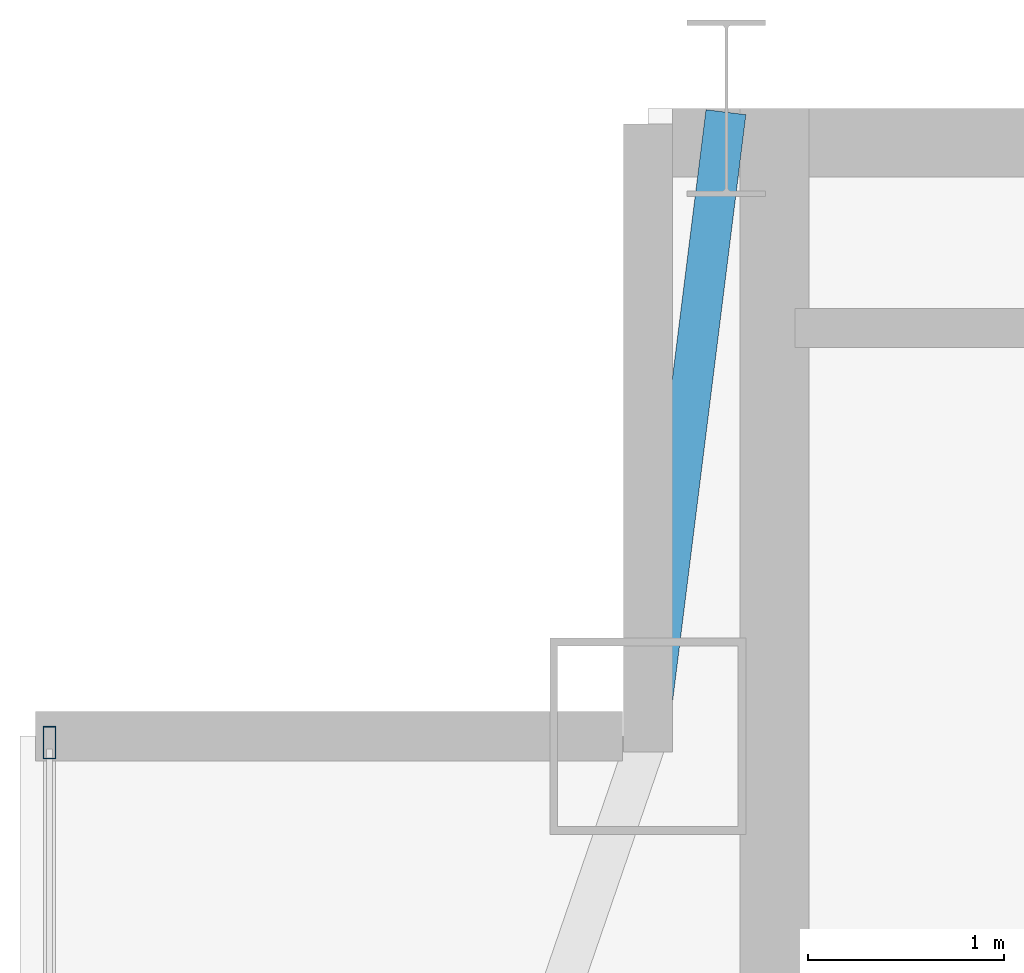
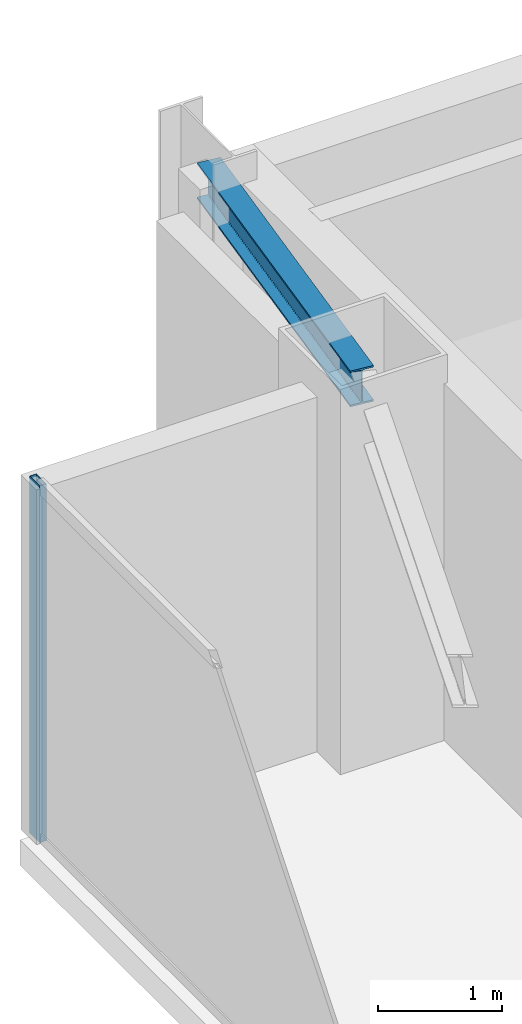
# One storey, part 15 of 21: 1 beam, 1 member, 1 element without a shape of its own.
"""IFC4 building model written with IfcOpenShell, lengths in metres."""

from ifc_helpers import new_model, si_unit, direction, frame, origin, origin_2d, place, context, subcontext, project, spatial, hollow_rectangle, i_section, extrude, source, transform, mapped, material, layer, layer_set, material_profile, profile_set, type_object, type_shapes, element, aggregate, save


model = new_model("IFC4")

# Units and contexts
model_context = context("Model", 3, precision=1e-05, world=origin(), true_north=direction((0.0, 1.0)))
body_context = subcontext(model_context, "Body", "Model", "MODEL_VIEW")
ifc_project = project(units=[si_unit("LENGTHUNIT", "METRE"), si_unit("AREAUNIT", "SQUARE_METRE"), si_unit("VOLUMEUNIT", "CUBIC_METRE"), si_unit("PLANEANGLEUNIT", "RADIAN"), si_unit("MASSUNIT", "GRAM", prefix="KILO")], contexts=[model_context])

# Site, building, storey
site_placement = place(None, origin())
site = spatial("IfcSite", under=ifc_project, at=site_placement, CompositionType="ELEMENT")
building_placement = place(site_placement, origin())
building = spatial("IfcBuilding", under=site, at=building_placement, Name="Varnel Quay Broadcast Tower", CompositionType="ELEMENT")
storey_placement = place(building_placement, frame((0.0, 0.0, 296.39990234375)))
storey = spatial("IfcBuildingStorey", under=building, at=storey_placement, Name="L74", CompositionType="ELEMENT", Elevation=296.39990234375)

# Beam
ifc_material_1 = material(Name="Structural Steel CSA G40.21 350W", Category="steel")
ifc_material_profile_1 = material_profile(ifc_material_1, i_section(OverallWidth=0.205078125, OverallDepth=0.35400390625, WebThickness=0.009521484375, FlangeThickness=0.016845703125, FilletRadius=0.012939453125, at=origin_2d()), Name="W360X79")
ifc_profile_set_1 = profile_set([ifc_material_profile_1], Name="Structural Steel CSA G40.21 350W")
beam_type = type_object("IfcBeamType", Name="Beam_W360X79", PredefinedType="SPANDREL", material=ifc_profile_set_1)
shared_shape_1 = source(origin(), body_context, "Body", "SweptSolid", [
    extrude(i_section(OverallWidth=0.205078125, OverallDepth=0.35400390625, WebThickness=0.009521484375, FlangeThickness=0.016845703125, FilletRadius=0.012939453125, at=origin_2d()), origin(), (0.0, 0.0, 1.0), 3.18505859375),
])
type_shapes(beam_type, [shared_shape_1])
beam_placement = place(storey_placement, frame((15.202392578125, 43.619873046875, 3.343017578125), z_axis=(0.124025300311, 0.992279055953, 0.0), x_axis=(-0.992279055953, 0.124025300311, 0.0)))
element("IfcBeam", 1, at=beam_placement, inside=storey, type_object=beam_type, Name="L74 NW Tie Spandrel", PredefinedType="SPANDREL", context=body_context, shape_type="MappedRepresentation", body=[
    mapped(shared_shape_1, transform((0.0, 0.0, 0.0), x_axis=(1.0, 0.0, 0.0), y_axis=(0.0, 1.0, 0.0), z_axis=(0.0, 0.0, 1.0), scale=1.0)),
])

# Curtain wall, member
ifc_material_2 = material(Name="Anodised Bronze Aluminium 6063-T6", Category="aluminium")
ifc_layer = layer(ifc_material_2, 0.18994140625, Name="Anodised Bronze Aluminium 6063-T6")
ifc_layer_set = layer_set([ifc_layer], Name="Anodised Bronze Aluminium 6063-T6")
curtain_wall_type = type_object("IfcCurtainWallType", Name="CW_UpperTower", PredefinedType="NOTDEFINED", material=ifc_layer_set)
curtain_wall_placement = place(storey_placement, origin())
curtain_wall = element("IfcCurtainWall", 2, at=curtain_wall_placement, inside=storey, type_object=curtain_wall_type, Name="L74 West Unitised Curtain Wall", PredefinedType="NOTDEFINED")
ifc_material_profile_2 = material_profile(ifc_material_2, hollow_rectangle(XDim=0.06494140625, YDim=0.1650390625, WallThickness=0.00341796875, at=origin_2d()), Name="ALU65X165X3.5")
ifc_profile_set_2 = profile_set([ifc_material_profile_2], Name="Anodised Bronze Aluminium 6063-T6")
member_type = type_object("IfcMemberType", Name="Mull_CWS-03", PredefinedType="MULLION", material=ifc_profile_set_2)
shared_shape_2 = source(origin(), body_context, "Body", "SweptSolid", [
    extrude(hollow_rectangle(XDim=0.06494140625, YDim=0.1650390625, WallThickness=0.00341796875, at=origin_2d()), origin(), (0.0, 0.0, 1.0), 3.52001953125),
])
type_shapes(member_type, [shared_shape_2])
member_placement = place(storey_placement, frame((12.14990234375, 43.5673828125, 0.0), z_axis=(0.0, 0.0, 1.0), x_axis=(-1.0, 0.0, 0.0)))
member = element("IfcMember", 3, at=member_placement, type_object=member_type, Name="CWS-03 mullion 3", PredefinedType="MULLION", context=body_context, shape_type="MappedRepresentation", body=[
    mapped(shared_shape_2, transform((0.0, 0.0, 0.0), x_axis=(1.0, 0.0, 0.0), y_axis=(0.0, 1.0, 0.0), z_axis=(0.0, 0.0, 1.0), scale=1.0)),
])
aggregate(curtain_wall, [member])

save(model, "model.ifc")
